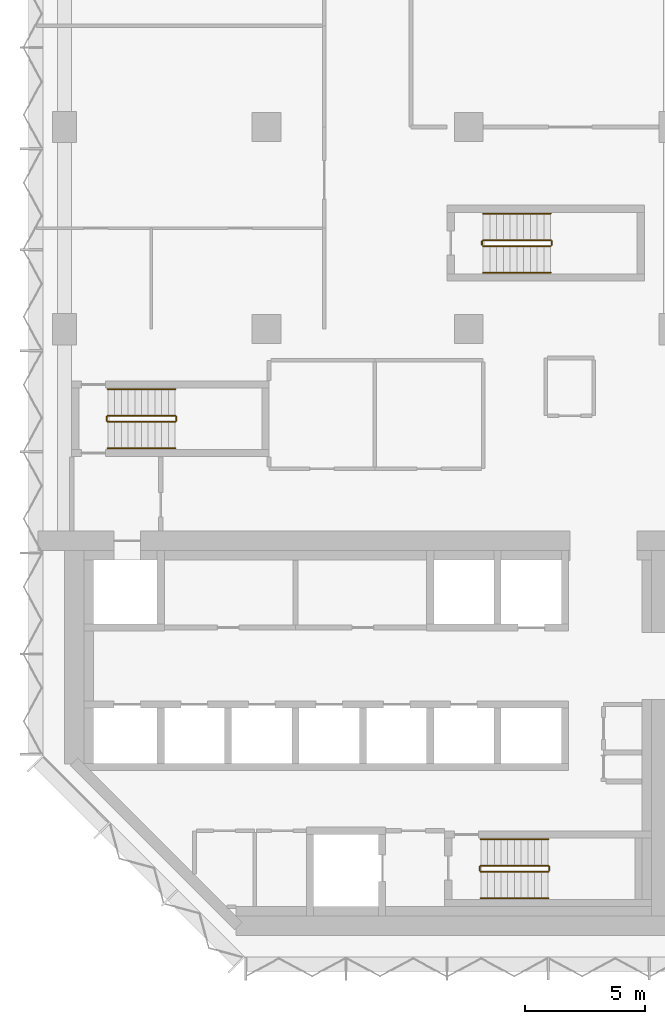
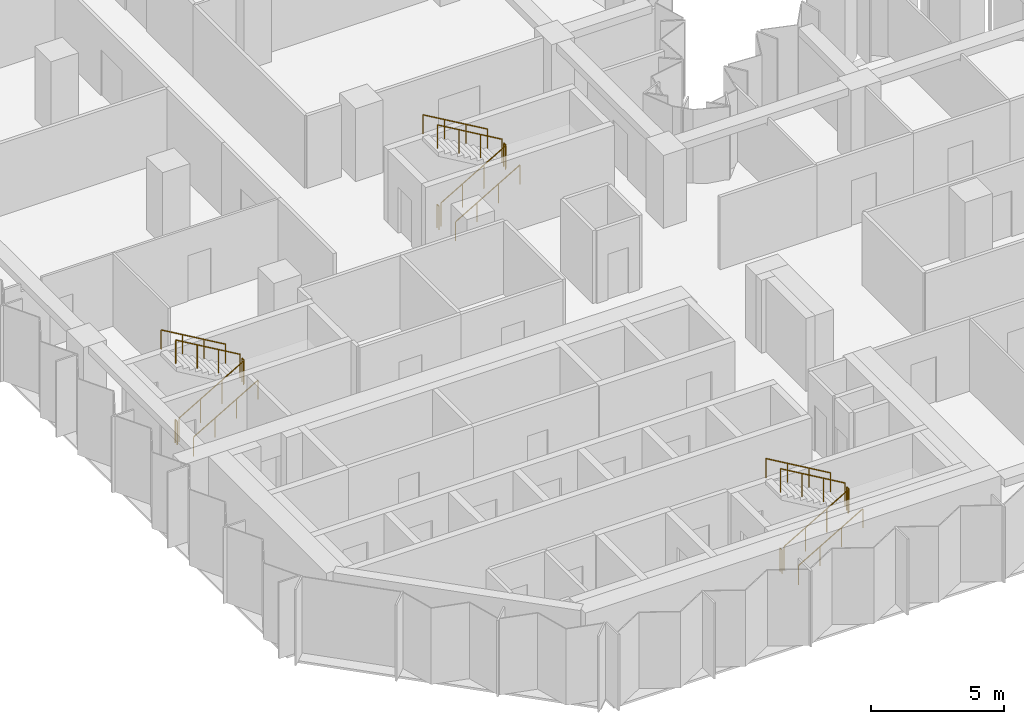
# One storey, part 12 of 13: 18 railings.
"""IFC4 building model written with IfcOpenShell, lengths in metres."""

from ifc_helpers import new_model, si_unit, direction, frame, origin, origin_2d, place, context, subcontext, project, spatial, circle, extrude, material, type_object, element, save


model = new_model("IFC4")

# Units and contexts
model_context = context("Model", 3, precision=1e-05, world=origin(), true_north=direction((0.0, 1.0)))
body_context = subcontext(model_context, "Body", "Model", "MODEL_VIEW")
ifc_project = project(units=[si_unit("LENGTHUNIT", "METRE"), si_unit("AREAUNIT", "SQUARE_METRE"), si_unit("VOLUMEUNIT", "CUBIC_METRE"), si_unit("PLANEANGLEUNIT", "RADIAN"), si_unit("MASSUNIT", "GRAM", prefix="KILO")], contexts=[model_context])

# Site, building, storey
site_placement = place(None, origin())
site = spatial("IfcSite", under=ifc_project, at=site_placement, CompositionType="ELEMENT")
building_placement = place(site_placement, origin())
building = spatial("IfcBuilding", under=site, at=building_placement, Name="Brevane Broadcast Tower", CompositionType="ELEMENT")
storey_placement = place(building_placement, frame((0.0, 0.0, 116.89990234375)))
storey = spatial("IfcBuildingStorey", under=building, at=storey_placement, Name="L28", CompositionType="ELEMENT", Elevation=116.89990234375)

# Railings
ifc_material = material(Name="Steel S355", Category="steel")
railing_type_1 = type_object("IfcRailingType", Name="Exit stair guard", PredefinedType="GUARDRAIL", material=ifc_material)
railing_1_placement = place(storey_placement, frame((1.800048828125, 21.35009765625, 0.163818359375)))
element("IfcRailing", 1, at=railing_1_placement, inside=storey, type_object=railing_type_1, Name="L28 ST-1 stair guard 1", PredefinedType="GUARDRAIL", context=body_context, shape_type="SweptSolid", body=[
    extrude(circle(Radius=0.02392578125, at=origin_2d()), frame((0.0, 0.0, 1.076171875), z_axis=(0.863393664356, 0.0, 0.504530851732), x_axis=(0.0, 1.0, 0.0)), (0.0, 0.0, 1.0), 3.2431640625),
    extrude(circle(Radius=0.02099609375, at=origin_2d()), origin(), (0.0, 0.0, 1.0), 1.052001953125),
    extrude(circle(Radius=0.02099609375, at=origin_2d()), frame((0.933349609375, 0.0, 0.54541015625)), (0.0, 0.0, 1.0), 1.052001953125),
    extrude(circle(Radius=0.02099609375, at=origin_2d()), frame((1.86669921875, 0.0, 1.0908203125)), (0.0, 0.0, 1.0), 1.052001953125),
    extrude(circle(Radius=0.02099609375, at=origin_2d()), frame((2.800048828125, 0.0, 1.63623046875)), (0.0, 0.0, 1.0), 1.052001953125),
])
railing_2_placement = place(storey_placement, frame((4.64990234375, 21.39990234375, 1.800048828125)))
element("IfcRailing", 2, at=railing_2_placement, inside=storey, type_object=railing_type_1, Name="L28 ST-1 stair guard 2", PredefinedType="GUARDRAIL", context=body_context, shape_type="SweptSolid", body=[
    extrude(circle(Radius=0.02392578125, at=origin_2d()), frame((0.0, 0.0, 1.076171875), z_axis=(0.0, 1.0, 0.0), x_axis=(-1.0, 0.0, 0.0)), (0.0, 0.0, 1.0), 0.150146484375),
    extrude(circle(Radius=0.02099609375, at=origin_2d()), origin(), (0.0, 0.0, 1.0), 1.052001953125),
    extrude(circle(Radius=0.02099609375, at=origin_2d()), frame((0.0, 0.150146484375, 0.0)), (0.0, 0.0, 1.0), 1.052001953125),
])
railing_3_placement = place(storey_placement, frame((4.60009765625, 21.60009765625, 1.963623046875)))
element("IfcRailing", 3, at=railing_3_placement, inside=storey, type_object=railing_type_1, Name="L28 ST-1 stair guard 3", PredefinedType="GUARDRAIL", context=body_context, shape_type="SweptSolid", body=[
    extrude(circle(Radius=0.02392578125, at=origin_2d()), frame((0.0, 0.0, 1.076171875), z_axis=(-0.863360870873, 0.0, 0.504586966384), x_axis=(0.0, -1.0, 0.0)), (0.0, 0.0, 1.0), 3.2431640625),
    extrude(circle(Radius=0.02099609375, at=origin_2d()), origin(), (0.0, 0.0, 1.0), 1.052001953125),
    extrude(circle(Radius=0.02099609375, at=origin_2d()), frame((-0.933349609375, 0.0, 0.54541015625)), (0.0, 0.0, 1.0), 1.052001953125),
    extrude(circle(Radius=0.02099609375, at=origin_2d()), frame((-1.86669921875, 0.0, 1.091064453125)), (0.0, 0.0, 1.0), 1.052001953125),
    extrude(circle(Radius=0.02099609375, at=origin_2d()), frame((-2.800048828125, 0.0, 1.636474609375)), (0.0, 0.0, 1.0), 1.052001953125),
])
railing_4_placement = place(storey_placement, frame((1.75, 21.39990234375, 0.0)))
element("IfcRailing", 4, at=railing_4_placement, inside=storey, type_object=railing_type_1, Name="L28 ST-1 stair guard 4", PredefinedType="GUARDRAIL", context=body_context, shape_type="SweptSolid", body=[
    extrude(circle(Radius=0.02392578125, at=origin_2d()), frame((0.0, 0.0, 1.076171875), z_axis=(0.0, 1.0, 0.0), x_axis=(-1.0, 0.0, 0.0)), (0.0, 0.0, 1.0), 0.150146484375),
    extrude(circle(Radius=0.02099609375, at=origin_2d()), origin(), (0.0, 0.0, 1.0), 1.052001953125),
    extrude(circle(Radius=0.02099609375, at=origin_2d()), frame((0.0, 0.150146484375, 0.0)), (0.0, 0.0, 1.0), 1.052001953125),
])
railing_5_placement = place(storey_placement, frame((17.300048828125, 2.64990234375, 0.163818359375)))
element("IfcRailing", 5, at=railing_5_placement, inside=storey, type_object=railing_type_1, Name="L28 ST-2 stair guard 1", PredefinedType="GUARDRAIL", context=body_context, shape_type="SweptSolid", body=[
    extrude(circle(Radius=0.02392578125, at=origin_2d()), frame((0.0, 0.0, 1.076171875), z_axis=(0.863393664356, 0.0, 0.504530851732), x_axis=(0.0, 1.0, 0.0)), (0.0, 0.0, 1.0), 3.2431640625),
    extrude(circle(Radius=0.02099609375, at=origin_2d()), origin(), (0.0, 0.0, 1.0), 1.052001953125),
    extrude(circle(Radius=0.02099609375, at=origin_2d()), frame((0.933349609375, 0.0, 0.54541015625)), (0.0, 0.0, 1.0), 1.052001953125),
    extrude(circle(Radius=0.02099609375, at=origin_2d()), frame((1.86669921875, 0.0, 1.0908203125)), (0.0, 0.0, 1.0), 1.052001953125),
    extrude(circle(Radius=0.02099609375, at=origin_2d()), frame((2.800048828125, 0.0, 1.63623046875)), (0.0, 0.0, 1.0), 1.052001953125),
])
railing_6_placement = place(storey_placement, frame((20.14990234375, 2.699951171875, 1.800048828125)))
element("IfcRailing", 6, at=railing_6_placement, inside=storey, type_object=railing_type_1, Name="L28 ST-2 stair guard 2", PredefinedType="GUARDRAIL", context=body_context, shape_type="SweptSolid", body=[
    extrude(circle(Radius=0.02392578125, at=origin_2d()), frame((0.0, 0.0, 1.076171875), z_axis=(0.0, 1.0, 0.0), x_axis=(-1.0, 0.0, 0.0)), (0.0, 0.0, 1.0), 0.150146484375),
    extrude(circle(Radius=0.02099609375, at=origin_2d()), origin(), (0.0, 0.0, 1.0), 1.052001953125),
    extrude(circle(Radius=0.02099609375, at=origin_2d()), frame((0.0, 0.150146484375, 0.0)), (0.0, 0.0, 1.0), 1.052001953125),
])
railing_7_placement = place(storey_placement, frame((20.10009765625, 2.89990234375, 1.963623046875)))
element("IfcRailing", 7, at=railing_7_placement, inside=storey, type_object=railing_type_1, Name="L28 ST-2 stair guard 3", PredefinedType="GUARDRAIL", context=body_context, shape_type="SweptSolid", body=[
    extrude(circle(Radius=0.02392578125, at=origin_2d()), frame((0.0, 0.0, 1.076171875), z_axis=(-0.863360870873, 0.0, 0.504586966384), x_axis=(0.0, -1.0, 0.0)), (0.0, 0.0, 1.0), 3.2431640625),
    extrude(circle(Radius=0.02099609375, at=origin_2d()), origin(), (0.0, 0.0, 1.0), 1.052001953125),
    extrude(circle(Radius=0.02099609375, at=origin_2d()), frame((-0.933349609375, 0.0, 0.54541015625)), (0.0, 0.0, 1.0), 1.052001953125),
    extrude(circle(Radius=0.02099609375, at=origin_2d()), frame((-1.86669921875, 0.0, 1.091064453125)), (0.0, 0.0, 1.0), 1.052001953125),
    extrude(circle(Radius=0.02099609375, at=origin_2d()), frame((-2.800048828125, 0.0, 1.636474609375)), (0.0, 0.0, 1.0), 1.052001953125),
])
railing_8_placement = place(storey_placement, frame((17.25, 2.699951171875, 0.0)))
element("IfcRailing", 8, at=railing_8_placement, inside=storey, type_object=railing_type_1, Name="L28 ST-2 stair guard 4", PredefinedType="GUARDRAIL", context=body_context, shape_type="SweptSolid", body=[
    extrude(circle(Radius=0.02392578125, at=origin_2d()), frame((0.0, 0.0, 1.076171875), z_axis=(0.0, 1.0, 0.0), x_axis=(-1.0, 0.0, 0.0)), (0.0, 0.0, 1.0), 0.150146484375),
    extrude(circle(Radius=0.02099609375, at=origin_2d()), origin(), (0.0, 0.0, 1.0), 1.052001953125),
    extrude(circle(Radius=0.02099609375, at=origin_2d()), frame((0.0, 0.150146484375, 0.0)), (0.0, 0.0, 1.0), 1.052001953125),
])
railing_9_placement = place(storey_placement, frame((17.39990234375, 28.64990234375, 0.163818359375)))
element("IfcRailing", 9, at=railing_9_placement, inside=storey, type_object=railing_type_1, Name="L28 ST-3 stair guard 1", PredefinedType="GUARDRAIL", context=body_context, shape_type="SweptSolid", body=[
    extrude(circle(Radius=0.02392578125, at=origin_2d()), frame((0.0, 0.0, 1.076171875), z_axis=(0.863393664356, 0.0, 0.504530851732), x_axis=(0.0, 1.0, 0.0)), (0.0, 0.0, 1.0), 3.2431640625),
    extrude(circle(Radius=0.02099609375, at=origin_2d()), origin(), (0.0, 0.0, 1.0), 1.052001953125),
    extrude(circle(Radius=0.02099609375, at=origin_2d()), frame((0.933349609375, 0.0, 0.54541015625)), (0.0, 0.0, 1.0), 1.052001953125),
    extrude(circle(Radius=0.02099609375, at=origin_2d()), frame((1.86669921875, 0.0, 1.0908203125)), (0.0, 0.0, 1.0), 1.052001953125),
    extrude(circle(Radius=0.02099609375, at=origin_2d()), frame((2.800048828125, 0.0, 1.63623046875)), (0.0, 0.0, 1.0), 1.052001953125),
])
railing_10_placement = place(storey_placement, frame((20.25, 28.699951171875, 1.800048828125)))
element("IfcRailing", 10, at=railing_10_placement, inside=storey, type_object=railing_type_1, Name="L28 ST-3 stair guard 2", PredefinedType="GUARDRAIL", context=body_context, shape_type="SweptSolid", body=[
    extrude(circle(Radius=0.02392578125, at=origin_2d()), frame((0.0, 0.0, 1.076171875), z_axis=(0.0, 1.0, 0.0), x_axis=(-1.0, 0.0, 0.0)), (0.0, 0.0, 1.0), 0.150146484375),
    extrude(circle(Radius=0.02099609375, at=origin_2d()), origin(), (0.0, 0.0, 1.0), 1.052001953125),
    extrude(circle(Radius=0.02099609375, at=origin_2d()), frame((0.0, 0.150146484375, 0.0)), (0.0, 0.0, 1.0), 1.052001953125),
])
railing_11_placement = place(storey_placement, frame((20.199951171875, 28.89990234375, 1.963623046875)))
element("IfcRailing", 11, at=railing_11_placement, inside=storey, type_object=railing_type_1, Name="L28 ST-3 stair guard 3", PredefinedType="GUARDRAIL", context=body_context, shape_type="SweptSolid", body=[
    extrude(circle(Radius=0.02392578125, at=origin_2d()), frame((0.0, 0.0, 1.076171875), z_axis=(-0.863360870873, 0.0, 0.504586966384), x_axis=(0.0, -1.0, 0.0)), (0.0, 0.0, 1.0), 3.2431640625),
    extrude(circle(Radius=0.02099609375, at=origin_2d()), origin(), (0.0, 0.0, 1.0), 1.052001953125),
    extrude(circle(Radius=0.02099609375, at=origin_2d()), frame((-0.933349609375, 0.0, 0.54541015625)), (0.0, 0.0, 1.0), 1.052001953125),
    extrude(circle(Radius=0.02099609375, at=origin_2d()), frame((-1.86669921875, 0.0, 1.091064453125)), (0.0, 0.0, 1.0), 1.052001953125),
    extrude(circle(Radius=0.02099609375, at=origin_2d()), frame((-2.800048828125, 0.0, 1.636474609375)), (0.0, 0.0, 1.0), 1.052001953125),
])
railing_12_placement = place(storey_placement, frame((17.35009765625, 28.699951171875, 0.0)))
element("IfcRailing", 12, at=railing_12_placement, inside=storey, type_object=railing_type_1, Name="L28 ST-3 stair guard 4", PredefinedType="GUARDRAIL", context=body_context, shape_type="SweptSolid", body=[
    extrude(circle(Radius=0.02392578125, at=origin_2d()), frame((0.0, 0.0, 1.076171875), z_axis=(0.0, 1.0, 0.0), x_axis=(-1.0, 0.0, 0.0)), (0.0, 0.0, 1.0), 0.150146484375),
    extrude(circle(Radius=0.02099609375, at=origin_2d()), origin(), (0.0, 0.0, 1.0), 1.052001953125),
    extrude(circle(Radius=0.02099609375, at=origin_2d()), frame((0.0, 0.150146484375, 0.0)), (0.0, 0.0, 1.0), 1.052001953125),
])
railing_type_2 = type_object("IfcRailingType", Name="Exit stair handrail", PredefinedType="HANDRAIL", material=ifc_material)
railing_13_placement = place(storey_placement, frame((1.800048828125, 20.25, 0.163818359375)))
element("IfcRailing", 13, at=railing_13_placement, inside=storey, type_object=railing_type_2, Name="L28 ST-1 stair handrail 1", PredefinedType="HANDRAIL", context=body_context, shape_type="SweptSolid", body=[
    extrude(circle(Radius=0.02392578125, at=origin_2d()), frame((0.0, 0.0, 0.8759765625), z_axis=(0.863393664356, 0.0, 0.504530851732), x_axis=(0.0, 1.0, 0.0)), (0.0, 0.0, 1.0), 3.2431640625),
    extrude(circle(Radius=0.02099609375, at=origin_2d()), origin(), (0.0, 0.0, 1.0), 0.851806640625),
    extrude(circle(Radius=0.02099609375, at=origin_2d()), frame((0.933349609375, 0.0, 0.54541015625)), (0.0, 0.0, 1.0), 0.851806640625),
    extrude(circle(Radius=0.02099609375, at=origin_2d()), frame((1.86669921875, 0.0, 1.0908203125)), (0.0, 0.0, 1.0), 0.851806640625),
    extrude(circle(Radius=0.02099609375, at=origin_2d()), frame((2.800048828125, 0.0, 1.63623046875)), (0.0, 0.0, 1.0), 0.851806640625),
])
railing_14_placement = place(storey_placement, frame((4.60009765625, 22.699951171875, 1.963623046875)))
element("IfcRailing", 14, at=railing_14_placement, inside=storey, type_object=railing_type_2, Name="L28 ST-1 stair handrail 2", PredefinedType="HANDRAIL", context=body_context, shape_type="SweptSolid", body=[
    extrude(circle(Radius=0.02392578125, at=origin_2d()), frame((0.0, 0.0, 0.8759765625), z_axis=(-0.863360870873, 0.0, 0.504586966384), x_axis=(0.0, -1.0, 0.0)), (0.0, 0.0, 1.0), 3.2431640625),
    extrude(circle(Radius=0.02099609375, at=origin_2d()), origin(), (0.0, 0.0, 1.0), 0.851806640625),
    extrude(circle(Radius=0.02099609375, at=origin_2d()), frame((-0.933349609375, 0.0, 0.54541015625)), (0.0, 0.0, 1.0), 0.851806640625),
    extrude(circle(Radius=0.02099609375, at=origin_2d()), frame((-1.86669921875, 0.0, 1.091064453125)), (0.0, 0.0, 1.0), 0.851806640625),
    extrude(circle(Radius=0.02099609375, at=origin_2d()), frame((-2.800048828125, 0.0, 1.636474609375)), (0.0, 0.0, 1.0), 0.851806640625),
])
railing_15_placement = place(storey_placement, frame((17.300048828125, 1.550048828125, 0.163818359375)))
element("IfcRailing", 15, at=railing_15_placement, inside=storey, type_object=railing_type_2, Name="L28 ST-2 stair handrail 1", PredefinedType="HANDRAIL", context=body_context, shape_type="SweptSolid", body=[
    extrude(circle(Radius=0.02392578125, at=origin_2d()), frame((0.0, 0.0, 0.8759765625), z_axis=(0.863393664356, 0.0, 0.504530851732), x_axis=(0.0, 1.0, 0.0)), (0.0, 0.0, 1.0), 3.2431640625),
    extrude(circle(Radius=0.02099609375, at=origin_2d()), origin(), (0.0, 0.0, 1.0), 0.851806640625),
    extrude(circle(Radius=0.02099609375, at=origin_2d()), frame((0.933349609375, 0.0, 0.54541015625)), (0.0, 0.0, 1.0), 0.851806640625),
    extrude(circle(Radius=0.02099609375, at=origin_2d()), frame((1.86669921875, 0.0, 1.0908203125)), (0.0, 0.0, 1.0), 0.851806640625),
    extrude(circle(Radius=0.02099609375, at=origin_2d()), frame((2.800048828125, 0.0, 1.63623046875)), (0.0, 0.0, 1.0), 0.851806640625),
])
railing_16_placement = place(storey_placement, frame((20.10009765625, 4.0, 1.963623046875)))
element("IfcRailing", 16, at=railing_16_placement, inside=storey, type_object=railing_type_2, Name="L28 ST-2 stair handrail 2", PredefinedType="HANDRAIL", context=body_context, shape_type="SweptSolid", body=[
    extrude(circle(Radius=0.02392578125, at=origin_2d()), frame((0.0, 0.0, 0.8759765625), z_axis=(-0.863360870873, 0.0, 0.504586966384), x_axis=(0.0, -1.0, 0.0)), (0.0, 0.0, 1.0), 3.2431640625),
    extrude(circle(Radius=0.02099609375, at=origin_2d()), origin(), (0.0, 0.0, 1.0), 0.851806640625),
    extrude(circle(Radius=0.02099609375, at=origin_2d()), frame((-0.933349609375, 0.0, 0.54541015625)), (0.0, 0.0, 1.0), 0.851806640625),
    extrude(circle(Radius=0.02099609375, at=origin_2d()), frame((-1.86669921875, 0.0, 1.091064453125)), (0.0, 0.0, 1.0), 0.851806640625),
    extrude(circle(Radius=0.02099609375, at=origin_2d()), frame((-2.800048828125, 0.0, 1.636474609375)), (0.0, 0.0, 1.0), 0.851806640625),
])
railing_17_placement = place(storey_placement, frame((17.39990234375, 27.550048828125, 0.163818359375)))
element("IfcRailing", 17, at=railing_17_placement, inside=storey, type_object=railing_type_2, Name="L28 ST-3 stair handrail 1", PredefinedType="HANDRAIL", context=body_context, shape_type="SweptSolid", body=[
    extrude(circle(Radius=0.02392578125, at=origin_2d()), frame((0.0, 0.0, 0.8759765625), z_axis=(0.863393664356, 0.0, 0.504530851732), x_axis=(0.0, 1.0, 0.0)), (0.0, 0.0, 1.0), 3.2431640625),
    extrude(circle(Radius=0.02099609375, at=origin_2d()), origin(), (0.0, 0.0, 1.0), 0.851806640625),
    extrude(circle(Radius=0.02099609375, at=origin_2d()), frame((0.933349609375, 0.0, 0.54541015625)), (0.0, 0.0, 1.0), 0.851806640625),
    extrude(circle(Radius=0.02099609375, at=origin_2d()), frame((1.86669921875, 0.0, 1.0908203125)), (0.0, 0.0, 1.0), 0.851806640625),
    extrude(circle(Radius=0.02099609375, at=origin_2d()), frame((2.800048828125, 0.0, 1.63623046875)), (0.0, 0.0, 1.0), 0.851806640625),
])
railing_18_placement = place(storey_placement, frame((20.199951171875, 30.0, 1.963623046875)))
element("IfcRailing", 18, at=railing_18_placement, inside=storey, type_object=railing_type_2, Name="L28 ST-3 stair handrail 2", PredefinedType="HANDRAIL", context=body_context, shape_type="SweptSolid", body=[
    extrude(circle(Radius=0.02392578125, at=origin_2d()), frame((0.0, 0.0, 0.8759765625), z_axis=(-0.863360870873, 0.0, 0.504586966384), x_axis=(0.0, -1.0, 0.0)), (0.0, 0.0, 1.0), 3.2431640625),
    extrude(circle(Radius=0.02099609375, at=origin_2d()), origin(), (0.0, 0.0, 1.0), 0.851806640625),
    extrude(circle(Radius=0.02099609375, at=origin_2d()), frame((-0.933349609375, 0.0, 0.54541015625)), (0.0, 0.0, 1.0), 0.851806640625),
    extrude(circle(Radius=0.02099609375, at=origin_2d()), frame((-1.86669921875, 0.0, 1.091064453125)), (0.0, 0.0, 1.0), 0.851806640625),
    extrude(circle(Radius=0.02099609375, at=origin_2d()), frame((-2.800048828125, 0.0, 1.636474609375)), (0.0, 0.0, 1.0), 0.851806640625),
])

save(model, "model.ifc")
